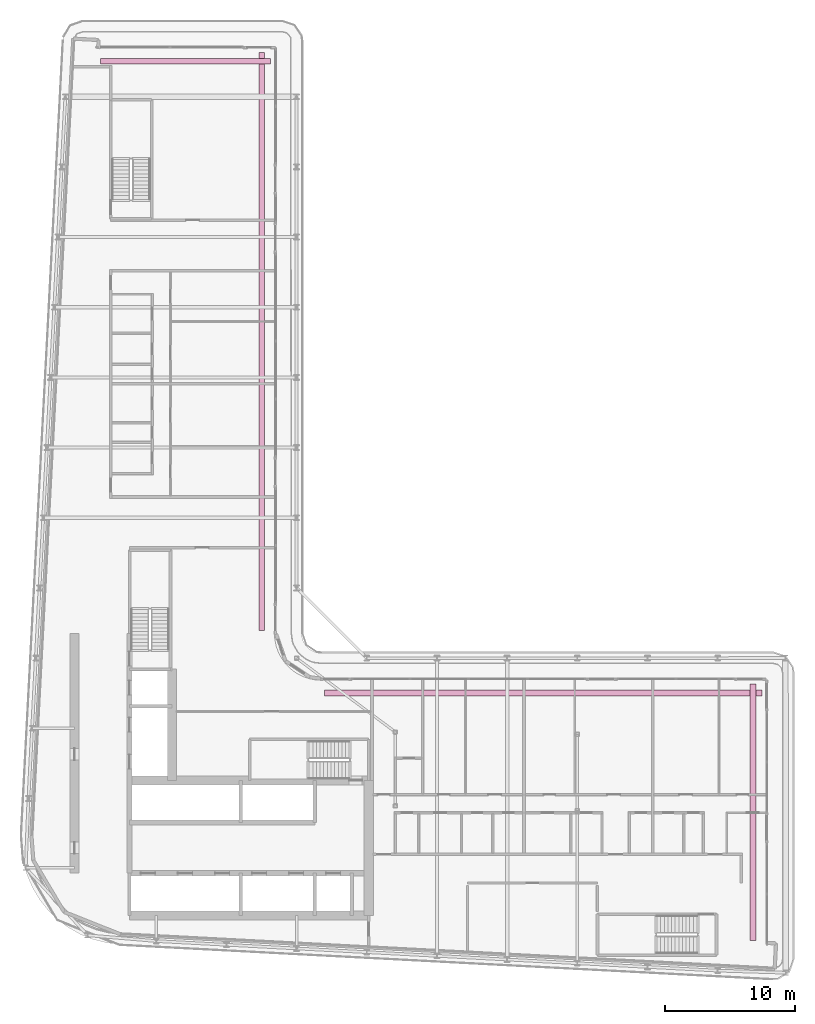
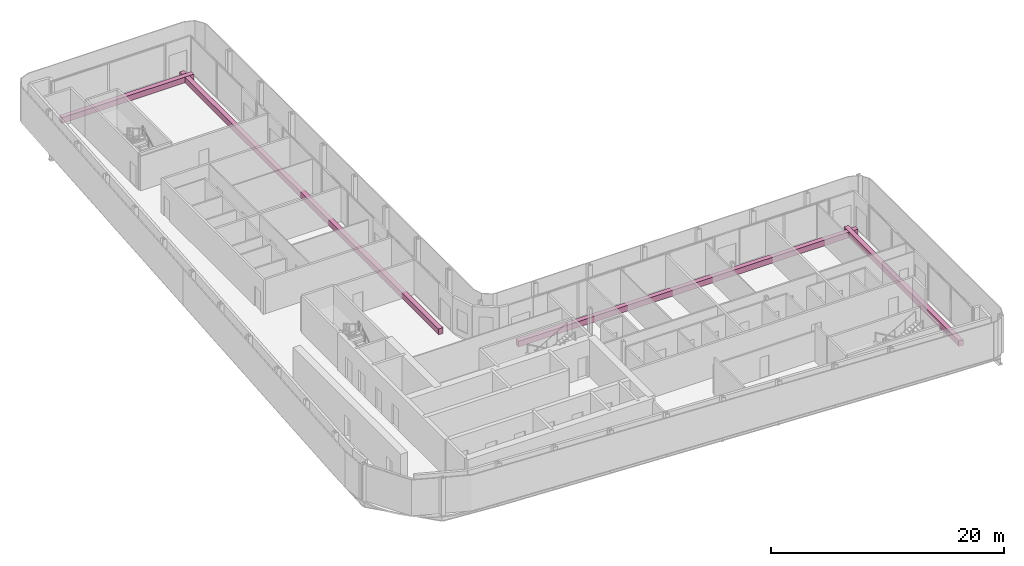
# One storey, part 21 of 21: 4 furniture elements.
"""IFC4 building model written with IfcOpenShell, lengths in metres."""

from ifc_helpers import new_model, si_unit, direction, frame, origin, origin_2d, place, context, subcontext, project, spatial, rectangle, extrude, material, type_object, element, save


model = new_model("IFC4")

# Units and contexts
model_context = context("Model", 3, precision=1e-05, world=origin(), true_north=direction((0.0, 1.0)))
body_context = subcontext(model_context, "Body", "Model", "MODEL_VIEW")
ifc_project = project(units=[si_unit("LENGTHUNIT", "METRE"), si_unit("AREAUNIT", "SQUARE_METRE"), si_unit("VOLUMEUNIT", "CUBIC_METRE"), si_unit("PLANEANGLEUNIT", "RADIAN"), si_unit("MASSUNIT", "GRAM", prefix="KILO")], contexts=[model_context])

# Site, building, storey
site_placement = place(None, origin())
site = spatial("IfcSite", under=ifc_project, at=site_placement, CompositionType="ELEMENT")
building_placement = place(site_placement, origin())
building = spatial("IfcBuilding", under=site, at=building_placement, Name="Kheshtan School and Residences Tower", CompositionType="ELEMENT")
storey_placement = place(building_placement, frame((0.0, 0.0, 231.800048828125)))
storey = spatial("IfcBuildingStorey", under=building, at=storey_placement, Name="L54", CompositionType="ELEMENT", Elevation=231.800048828125)

# Furniture
ifc_material = material(Name="Precast concrete C30/37 in terracotta finish", Category="masonry")
furniture_type = type_object("IfcFurnitureType", Name="Planter trough", AssemblyPlace="NOTDEFINED", PredefinedType="USERDEFINED", material=ifc_material)
furniture_1_placement = place(storey_placement, frame((39.053955078125, 91.52490234375, 0.0), z_axis=(0.0, 0.0, 1.0), x_axis=(1.0, 0.0, 0.0)))
element("IfcFurniture", 1, at=furniture_1_placement, inside=storey, type_object=furniture_type, Name="Planter L54", ObjectType="PLANTER", PredefinedType="USERDEFINED", context=body_context, shape_type="SweptSolid", body=[
    extrude(rectangle(XDim=13.092041015625, YDim=0.449951171875, at=origin_2d()), origin(), (0.0, 0.0, 1.0), 0.60009765625),
])
furniture_2_placement = place(storey_placement, frame((44.925048828125, 69.965087890625, 0.0), z_axis=(0.0, 0.0, 1.0), x_axis=(0.0, -1.0, 0.0)))
element("IfcFurniture", 2, at=furniture_2_placement, inside=storey, type_object=furniture_type, Name="Planter L54", ObjectType="PLANTER", PredefinedType="USERDEFINED", context=body_context, shape_type="SweptSolid", body=[
    extrude(rectangle(XDim=44.469970703125, YDim=0.449951171875, at=origin_2d()), origin(), (0.0, 0.0, 1.0), 0.60009765625),
])
furniture_3_placement = place(storey_placement, frame((66.56494140625, 42.925048828125, 0.0), z_axis=(0.0, 0.0, 1.0), x_axis=(1.0, 0.0, 0.0)))
element("IfcFurniture", 3, at=furniture_3_placement, inside=storey, type_object=furniture_type, Name="Planter L54", ObjectType="PLANTER", PredefinedType="USERDEFINED", context=body_context, shape_type="SweptSolid", body=[
    extrude(rectangle(XDim=33.669921875, YDim=0.449951171875, at=origin_2d()), origin(), (0.0, 0.0, 1.0), 0.60009765625),
])
furniture_4_placement = place(storey_placement, frame((82.72509765625, 33.73291015625, 0.0), z_axis=(0.0, 0.0, 1.0), x_axis=(0.0, -1.0, 0.0)))
element("IfcFurniture", 4, at=furniture_4_placement, inside=storey, type_object=furniture_type, Name="Planter L54", ObjectType="PLANTER", PredefinedType="USERDEFINED", context=body_context, shape_type="SweptSolid", body=[
    extrude(rectangle(XDim=19.73291015625, YDim=0.449951171875, at=origin_2d()), origin(), (0.0, 0.0, 1.0), 0.60009765625),
])

save(model, "model.ifc")
